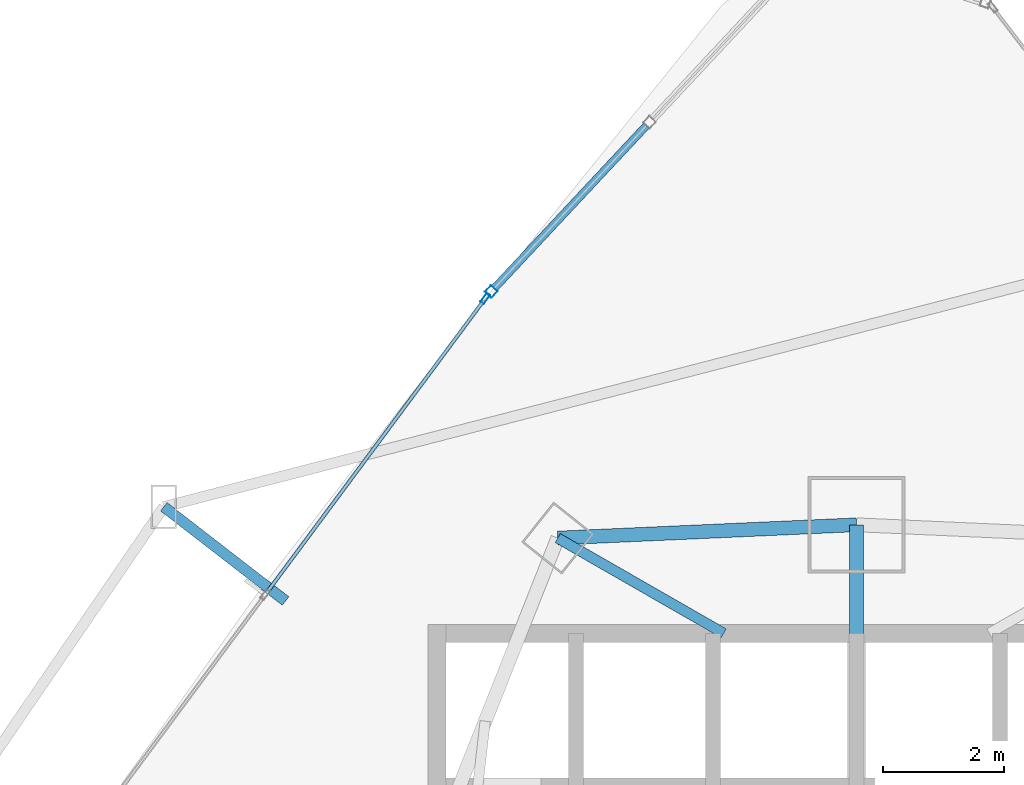
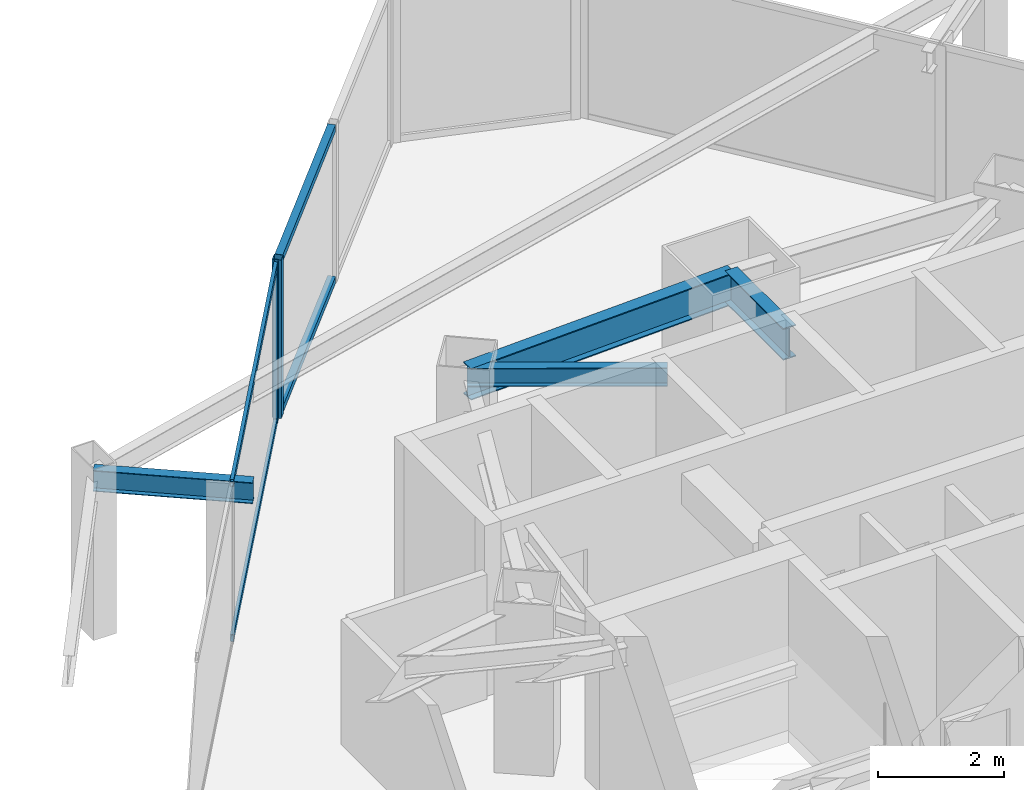
# One storey, part 22 of 34: 6 members, 4 beams, 2 elements without a shape of their own.
"""IFC4 building model written with IfcOpenShell, lengths in metres."""

from ifc_helpers import new_model, si_unit, direction, frame, origin, origin_2d, place, context, subcontext, project, spatial, hollow_rectangle, i_section, extrude, material, layer, layer_set, material_profile, profile_set, type_object, element, aggregate, save


model = new_model("IFC4")

# Units and contexts
model_context = context("Model", 3, precision=1e-05, world=origin(), true_north=direction((0.0, 1.0)))
body_context = subcontext(model_context, "Body", "Model", "MODEL_VIEW")
ifc_project = project(units=[si_unit("LENGTHUNIT", "METRE"), si_unit("AREAUNIT", "SQUARE_METRE"), si_unit("VOLUMEUNIT", "CUBIC_METRE"), si_unit("PLANEANGLEUNIT", "RADIAN"), si_unit("MASSUNIT", "GRAM", prefix="KILO")], contexts=[model_context])

# Site, building, storey
site_placement = place(None, origin())
site = spatial("IfcSite", under=ifc_project, at=site_placement, CompositionType="ELEMENT")
building_placement = place(site_placement, origin())
building = spatial("IfcBuilding", under=site, at=building_placement, Name="Orvanel Arch Residences", CompositionType="ELEMENT")
storey_placement = place(building_placement, frame((0.0, 0.0, 74.14990234375)))
storey = spatial("IfcBuildingStorey", under=building, at=storey_placement, Name="L20", CompositionType="ELEMENT", Elevation=74.14990234375)

# Beams
ifc_material_1 = material(Name="Structural steel AS/NZS 3679.1 Grade 300 (300 MPa)", Category="steel")
ifc_material_profile_1 = material_profile(ifc_material_1, i_section(OverallWidth=0.22900390625, OverallDepth=0.612060546875, WebThickness=0.011962890625, FlangeThickness=0.01953125, at=origin_2d()), Name="610UB125")
ifc_profile_set_1 = profile_set([ifc_material_profile_1], Name="Structural steel AS/NZS 3679.1 Grade 300 (300 MPa)")
beam_type_1 = type_object("IfcBeamType", Name="BG-610UB", PredefinedType="BEAM", material=ifc_profile_set_1)
beam_1_placement = place(storey_placement, frame((33.0, 39.550048828125, 2.754150390625), z_axis=(0.0, 1.0, 0.0), x_axis=(-1.0, 0.0, 0.0)))
element("IfcBeam", 1, at=beam_1_placement, inside=storey, type_object=beam_type_1, Name="L20 North Radial Girder", PredefinedType="BEAM", context=body_context, shape_type="SweptSolid", body=[
    extrude(i_section(OverallWidth=0.22900390625, OverallDepth=0.612060546875, WebThickness=0.011962890625, FlangeThickness=0.01953125, at=origin_2d()), origin(), (0.0, 0.0, 1.0), 1.847900390625),
])
ifc_material_profile_2 = material_profile(ifc_material_1, i_section(OverallWidth=0.1708984375, OverallDepth=0.35595703125, WebThickness=0.00732421875, FlangeThickness=0.011474609375, at=origin_2d()), Name="360UB50.7")
ifc_profile_set_2 = profile_set([ifc_material_profile_2], Name="Structural steel AS/NZS 3679.1 Grade 300 (300 MPa)")
beam_type_2 = type_object("IfcBeamType", Name="BJ-360UB", PredefinedType="JOIST", material=ifc_profile_set_2)
beam_2_placement = place(storey_placement, frame((30.800048828125, 39.60009765625, 2.882080078125), z_axis=(-0.86736513383, 0.497672306458, 0.0), x_axis=(-0.497672306458, -0.86736513383, 0.0)))
element("IfcBeam", 2, at=beam_2_placement, inside=storey, type_object=beam_type_2, Name="L20 MNW Wing Floor Joist", PredefinedType="JOIST", context=body_context, shape_type="SweptSolid", body=[
    extrude(i_section(OverallWidth=0.1708984375, OverallDepth=0.35595703125, WebThickness=0.00732421875, FlangeThickness=0.011474609375, at=origin_2d()), origin(), (0.0, 0.0, 1.0), 3.17041015625),
])

# Curtain wall, member
ifc_material_2 = material(Name="Bronze-anodised aluminium AA6063-T6", Category="aluminium")
ifc_layer_1 = layer(ifc_material_2, 0.18994140625)
ifc_layer_set_1 = layer_set([ifc_layer_1], Name="Bronze-anodised aluminium AA6063-T6")
curtain_wall_type_1 = type_object("IfcCurtainWallType", Name="CW5-CRN-SYS", PredefinedType="NOTDEFINED", material=ifc_layer_set_1)
curtain_wall_1_placement = place(storey_placement, origin())
curtain_wall_1 = element("IfcCurtainWall", 3, at=curtain_wall_1_placement, inside=storey, type_object=curtain_wall_type_1, Name="L20 CW5-CRN-SYS Unitised Curtain Wall", PredefinedType="NOTDEFINED")
ifc_material_profile_3 = material_profile(ifc_material_2, hollow_rectangle(XDim=0.14990234375, YDim=0.14990234375, WallThickness=0.0048828125, at=origin_2d()), Name="ALU150x150x5")
ifc_profile_set_3 = profile_set([ifc_material_profile_3], Name="Bronze-anodised aluminium AA6063-T6")
member_type_1 = type_object("IfcMemberType", Name="MUL-150x150", PredefinedType="MULLION", material=ifc_profile_set_3)
member_1_placement = place(storey_placement, frame((26.947265625, 45.26171875, 0.0), z_axis=(0.0, 0.0, 1.0), x_axis=(0.730281692072, -0.683146141191, 0.0)))
member_1 = element("IfcMember", 4, at=member_1_placement, type_object=member_type_1, Name="CW-S5 mullion 3", PredefinedType="MULLION", context=body_context, shape_type="SweptSolid", body=[
    extrude(hollow_rectangle(XDim=0.14990234375, YDim=0.14990234375, WallThickness=0.0048828125, at=origin_2d()), origin(), (0.0, 0.0, 1.0), 3.06005859375),
])

ifc_layer_2 = layer(ifc_material_2, 0.179931640625)
ifc_layer_set_2 = layer_set([ifc_layer_2], Name="Bronze-anodised aluminium AA6063-T6")
curtain_wall_type_2 = type_object("IfcCurtainWallType", Name="CW2-LOW-SYS", PredefinedType="NOTDEFINED", material=ifc_layer_set_2)
curtain_wall_2_placement = place(storey_placement, origin())
curtain_wall_2 = element("IfcCurtainWall", 5, at=curtain_wall_2_placement, inside=storey, type_object=curtain_wall_type_2, Name="L20 CW2-LOW-SYS Unitised Curtain Wall", PredefinedType="NOTDEFINED")
ifc_material_profile_4 = material_profile(ifc_material_2, hollow_rectangle(XDim=0.070068359375, YDim=0.179931640625, WallThickness=0.00439453125, at=origin_2d()), Name="ALU180x70x4.5")
ifc_profile_set_4 = profile_set([ifc_material_profile_4], Name="Bronze-anodised aluminium AA6063-T6")
member_type_2 = type_object("IfcMemberType", Name="MUL-180x70", PredefinedType="MULLION", material=ifc_profile_set_4)
member_2_placement = place(storey_placement, frame((26.84912109375, 45.14794921875, 0.0), z_axis=(0.0, 0.0, 1.0), x_axis=(0.802859489606, -0.596168298343, 0.0)))
member_2 = element("IfcMember", 6, at=member_2_placement, type_object=member_type_2, Name="CW-S2 mullion 1", PredefinedType="MULLION", context=body_context, shape_type="SweptSolid", body=[
    extrude(hollow_rectangle(XDim=0.070068359375, YDim=0.179931640625, WallThickness=0.00439453125, at=origin_2d()), origin(), (0.0, 0.0, 1.0), 3.06005859375),
])

# Beams
ifc_material_profile_5 = material_profile(ifc_material_1, i_section(OverallWidth=0.177978515625, OverallDepth=0.406005859375, WebThickness=0.0078125, FlangeThickness=0.0126953125, at=origin_2d()), Name="410UB59.7")
ifc_profile_set_5 = profile_set([ifc_material_profile_5], Name="Structural steel AS/NZS 3679.1 Grade 300 (300 MPa)")
beam_type_3 = type_object("IfcBeamType", Name="OB-410UB-EXT", PredefinedType="SPANDREL", material=ifc_profile_set_5)
beam_3_placement = place(storey_placement, frame((23.5419921875, 40.135986328125, 2.857177734375), z_axis=(-0.791019623981, 0.611790776718, 0.0), x_axis=(-0.611790776718, -0.791019623981, 0.0)))
element("IfcBeam", 7, at=beam_3_placement, inside=storey, type_object=beam_type_3, Name="L20 Outer Frame Radial Tie Beam 01", PredefinedType="SPANDREL", context=body_context, shape_type="SweptSolid", body=[
    extrude(i_section(OverallWidth=0.177978515625, OverallDepth=0.406005859375, WebThickness=0.0078125, FlangeThickness=0.0126953125, at=origin_2d()), origin(), (0.0, 0.0, 1.0), 2.550048828125),
])
ifc_material_profile_6 = material_profile(ifc_material_1, i_section(OverallWidth=0.22900390625, OverallDepth=0.612060546875, WebThickness=0.011962890625, FlangeThickness=0.01953125, at=origin_2d()), Name="610UB125")
ifc_profile_set_6 = profile_set([ifc_material_profile_6], Name="Structural steel AS/NZS 3679.1 Grade 300 (300 MPa)")
beam_type_4 = type_object("IfcBeamType", Name="SP-610UB", PredefinedType="SPANDREL", material=ifc_profile_set_6)
beam_4_placement = place(storey_placement, frame((33.0, 41.39794921875, 2.754150390625), z_axis=(-0.999014049296, -0.044395149614, 0.0), x_axis=(0.044395149614, -0.999014049296, 0.0)))
element("IfcBeam", 8, at=beam_4_placement, inside=storey, type_object=beam_type_4, Name="L20 Perimeter Spandrel Beam 17", PredefinedType="SPANDREL", context=body_context, shape_type="SweptSolid", body=[
    extrude(i_section(OverallWidth=0.22900390625, OverallDepth=0.612060546875, WebThickness=0.011962890625, FlangeThickness=0.01953125, at=origin_2d()), origin(), (0.0, 0.0, 1.0), 4.954833984375),
])

# Member
ifc_material_profile_7 = material_profile(ifc_material_2, hollow_rectangle(XDim=0.1298828125, YDim=0.1298828125, WallThickness=0.00439453125, at=origin_2d()), Name="ALU130x130x4.5")
ifc_profile_set_7 = profile_set([ifc_material_profile_7], Name="Bronze-anodised aluminium AA6063-T6")
member_type_3 = type_object("IfcMemberType", Name="TRN-130x130", PredefinedType="USERDEFINED", material=ifc_profile_set_7)
member_3_placement = place(storey_placement, frame((29.518798828125, 48.0107421875, 0.065185546875), z_axis=(-0.68315485184, -0.730273543549, 0.0), x_axis=(0.730273543549, -0.68315485184, 0.0)))
member_3 = element("IfcMember", 9, at=member_3_placement, type_object=member_type_3, Name="CW-S5 transom 2.1", ObjectType="TRANSOM", PredefinedType="USERDEFINED", context=body_context, shape_type="SweptSolid", body=[
    extrude(hollow_rectangle(XDim=0.1298828125, YDim=0.1298828125, WallThickness=0.00439453125, at=origin_2d()), origin(), (0.0, 0.0, 1.0), 3.689208984375),
])

member_4_placement = place(storey_placement, frame((29.518798828125, 48.0107421875, 2.9951171875), z_axis=(-0.68315485184, -0.730273543549, 0.0), x_axis=(0.730273543549, -0.68315485184, 0.0)))
member_4 = element("IfcMember", 10, at=member_4_placement, type_object=member_type_3, Name="CW-S5 transom 2.2", ObjectType="TRANSOM", PredefinedType="USERDEFINED", context=body_context, shape_type="SweptSolid", body=[
    extrude(hollow_rectangle(XDim=0.1298828125, YDim=0.1298828125, WallThickness=0.00439453125, at=origin_2d()), origin(), (0.0, 0.0, 1.0), 3.689208984375),
])

aggregate(curtain_wall_1, [member_1, member_3, member_4])

ifc_material_profile_8 = material_profile(ifc_material_2, hollow_rectangle(XDim=0.06005859375, YDim=0.135009765625, WallThickness=0.00390625, at=origin_2d()), Name="ALU135x60x4")
ifc_profile_set_8 = profile_set([ifc_material_profile_8], Name="Bronze-anodised aluminium AA6063-T6")
member_type_4 = type_object("IfcMemberType", Name="TRN-135x60", PredefinedType="USERDEFINED", material=ifc_profile_set_8)
member_5_placement = place(storey_placement, frame((26.828369140625, 45.119873046875, 0.030029296875), z_axis=(-0.596173772264, -0.802855424884, 0.0), x_axis=(0.802855424884, -0.596173772264, 0.0)))
member_5 = element("IfcMember", 11, at=member_5_placement, type_object=member_type_4, Name="CW-S2 transom 1.1", ObjectType="TRANSOM", PredefinedType="USERDEFINED", context=body_context, shape_type="SweptSolid", body=[
    extrude(hollow_rectangle(XDim=0.06005859375, YDim=0.135009765625, WallThickness=0.00390625, at=origin_2d()), origin(), (0.0, 0.0, 1.0), 6.04443359375),
])

member_6_placement = place(storey_placement, frame((26.828369140625, 45.119873046875, 3.030029296875), z_axis=(-0.596173772264, -0.802855424884, 0.0), x_axis=(0.802855424884, -0.596173772264, 0.0)))
member_6 = element("IfcMember", 12, at=member_6_placement, type_object=member_type_4, Name="CW-S2 transom 1.2", ObjectType="TRANSOM", PredefinedType="USERDEFINED", context=body_context, shape_type="SweptSolid", body=[
    extrude(hollow_rectangle(XDim=0.06005859375, YDim=0.135009765625, WallThickness=0.00390625, at=origin_2d()), origin(), (0.0, 0.0, 1.0), 6.04443359375),
])

aggregate(curtain_wall_2, [member_2, member_5, member_6])

save(model, "model.ifc")
